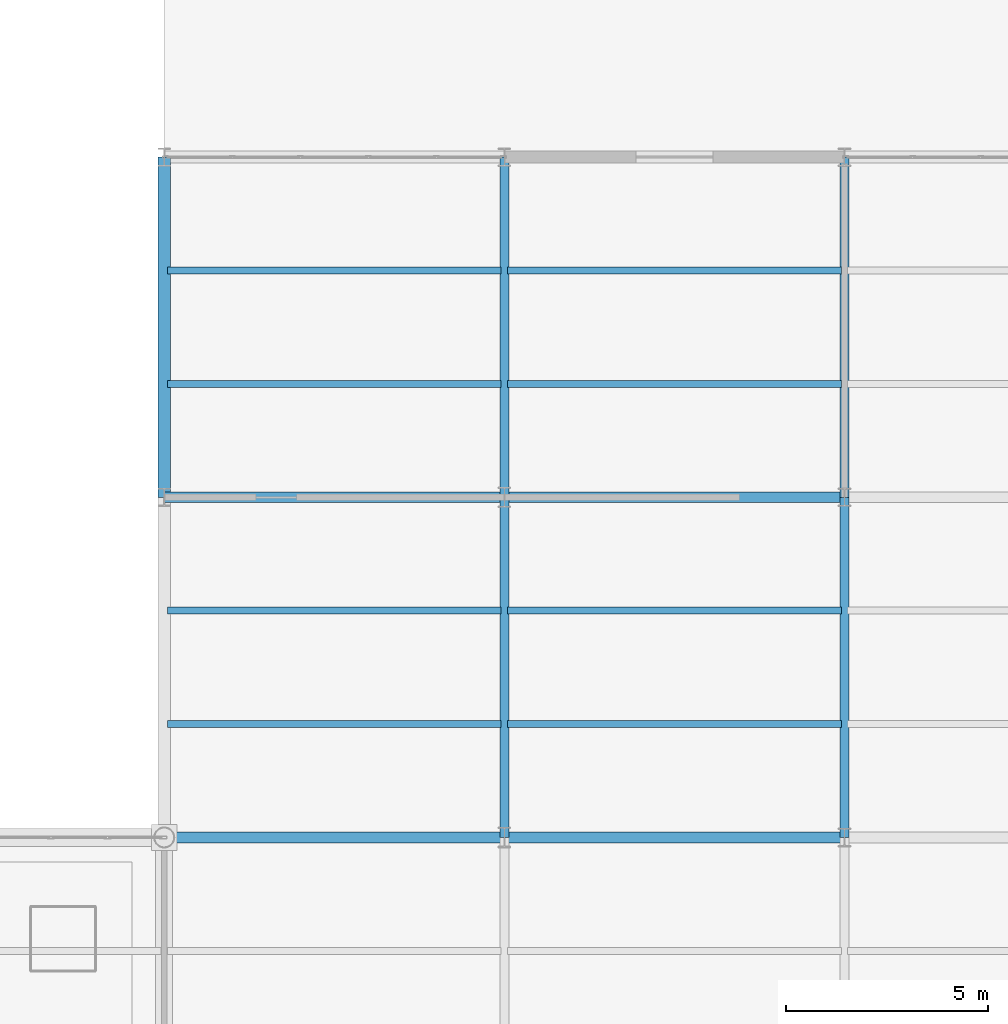
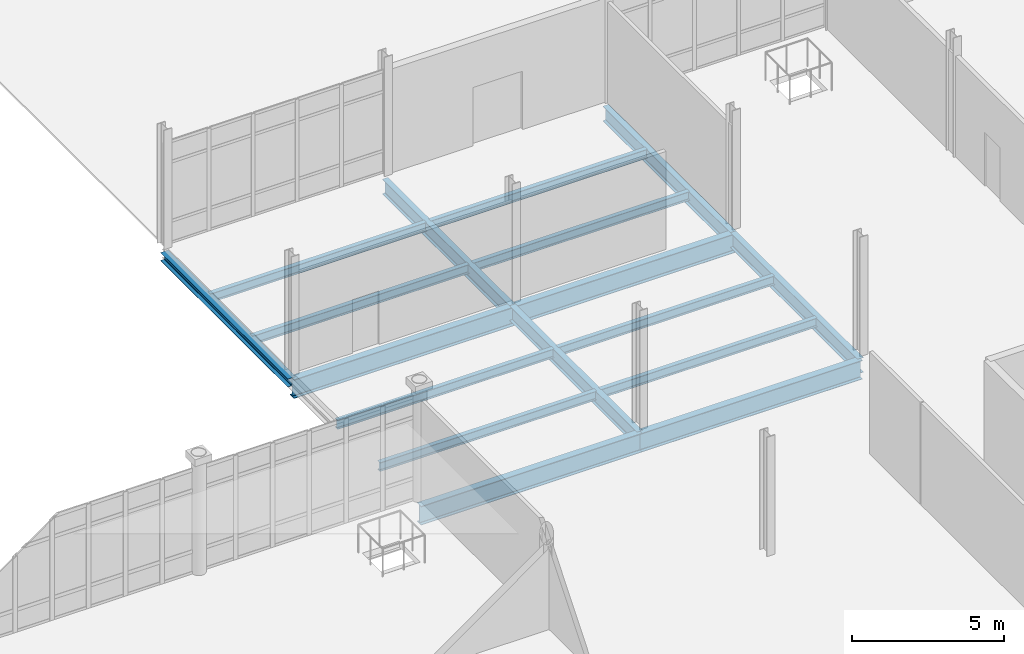
# One storey, part 58 of 145: 17 beams.
"""IFC4 building model written with IfcOpenShell, lengths in metres."""

import ifcopenshell
import ifcopenshell.guid

model = None  # the IFC model being written
_history = None  # IfcOwnerHistory: only IFC2X3 demands one
_inside = {}  # id of a spatial element -> (the spatial element, [elements in it])
_under = {}  # id of a project, library or spatial element -> (it, [spatial elements below it])
_declared = {}  # id of a project -> (the project, [libraries it declares])
_typed = {}  # id of a type object -> (the type object, [elements of that type])
_made_of = {}  # id of a material, layer set ... -> (it, [elements and type objects made of it])


def new_model(schema):
    """Start an empty IFC model of exactly this schema.

    Asked for "IFC4X3", IfcOpenShell would pick the latest addendum, in which some entities
    have other attributes; the version numbers below select the first issue.
    IFC2X3 requires an IfcOwnerHistory on every rooted entity: one is made here for all.
    """
    global model, _history
    if schema == "IFC4X3":
        model = ifcopenshell.file(schema_version=(4, 3, 0, 0))
    else:
        model = ifcopenshell.file(schema=schema)
    _inside.clear()
    _under.clear()
    _declared.clear()
    _typed.clear()
    _made_of.clear()
    _history = None
    if model.schema == "IFC2X3":
        org = make("IfcOrganization", Name="unknown")
        user = make(
            "IfcPersonAndOrganization",
            ThePerson=make("IfcPerson", FamilyName="unknown"),
            TheOrganization=org,
        )
        app = make(
            "IfcApplication",
            ApplicationDeveloper=org,
            Version="unknown",
            ApplicationFullName="unknown",
            ApplicationIdentifier="unknown",
        )
        _history = make(
            "IfcOwnerHistory",
            OwningUser=user,
            OwningApplication=app,
            ChangeAction="ADDED",
            CreationDate=0,
        )
    return model


def make(cls, **values):
    """One entity of the class cls with the attributes given. An attribute that is None is left unset."""
    return model.create_entity(
        cls, **{name: value for name, value in values.items() if value is not None}
    )


def rooted(cls, **values):
    """An entity with a GlobalId (a new one), such as an element, a storey or a relation."""
    return make(cls, GlobalId=ifcopenshell.guid.new(), OwnerHistory=_history, **values)


def si_unit(unit_type, name, prefix=None):
    """IfcSIUnit, for example si_unit("LENGTHUNIT", "METRE", prefix="MILLI")."""
    return make("IfcSIUnit", UnitType=unit_type, Prefix=prefix, Name=name)


def assignment(units):
    """IfcUnitAssignment: the units of a project."""
    return None if units is None else make("IfcUnitAssignment", Units=units)


def point(xyz):
    """IfcCartesianPoint."""
    return None if xyz is None else make("IfcCartesianPoint", Coordinates=xyz)


def direction(xyz):
    """IfcDirection."""
    return None if xyz is None else make("IfcDirection", DirectionRatios=xyz)


def frame(location, z_axis=None, x_axis=None):
    """IfcAxis2Placement3D, a coordinate frame: its origin and axes. An axis left out is left unset."""
    return make(
        "IfcAxis2Placement3D",
        Location=point(location),
        Axis=direction(z_axis),
        RefDirection=direction(x_axis),
    )


def frame_2d(location, x_axis=None):
    """IfcAxis2Placement2D, a coordinate frame in the plane: its origin and x axis."""
    return make(
        "IfcAxis2Placement2D", Location=point(location), RefDirection=direction(x_axis)
    )


def origin():
    """The frame at (0, 0, 0) with its axes left unset."""
    return frame((0.0, 0.0, 0.0))


def origin_2d():
    """The frame at (0, 0) in the plane with its x axis left unset."""
    return frame_2d((0.0, 0.0))


def place(relative_to, where):
    """IfcLocalPlacement: puts the frame where relative to a parent placement (None: the world)."""
    return make(
        "IfcLocalPlacement", PlacementRelTo=relative_to, RelativePlacement=where
    )


def context(
    kind, dimensions, precision=None, world=None, true_north=None, identifier=None
):
    """IfcGeometricRepresentationContext, for example the 3D "Model" context."""
    return make(
        "IfcGeometricRepresentationContext",
        ContextIdentifier=identifier,
        ContextType=kind,
        CoordinateSpaceDimension=dimensions,
        Precision=precision,
        WorldCoordinateSystem=world,
        TrueNorth=true_north,
    )


def subcontext(parent, identifier, kind, view, scale=None):
    """IfcGeometricRepresentationSubContext, for example "Body" below "Model"."""
    return make(
        "IfcGeometricRepresentationSubContext",
        ContextIdentifier=identifier,
        ContextType=kind,
        ParentContext=parent,
        TargetScale=scale,
        TargetView=view,
    )


def project(units=None, contexts=None):
    """IfcProject with its units and contexts."""
    return rooted(
        "IfcProject",
        Name="project",
        RepresentationContexts=contexts,
        UnitsInContext=assignment(units),
    )


def spatial(cls, under=None, at=None, **own):
    """A site, building, storey or space (cls), placed at a placement, below another one or the project."""
    s = rooted(cls, ObjectPlacement=at, **own)
    if under is not None:
        _under.setdefault(under.id(), (under, []))[1].append(s)
    return s


def profile(cls, at=None, kind="AREA", **sizes):
    """A parametric profile (cls). Its sizes go by their IFC names, for example OverallWidth=200.0."""
    return make(cls, ProfileType=kind, Position=at, **sizes)


def i_section(**sizes):
    """IfcIShapeProfileDef."""
    return profile("IfcIShapeProfileDef", **sizes)


def extrude(swept, where, along, depth):
    """IfcExtrudedAreaSolid: the profile swept, set in the frame where, extruded along a direction by depth."""
    return make(
        "IfcExtrudedAreaSolid",
        SweptArea=swept,
        Position=where,
        ExtrudedDirection=direction(along),
        Depth=depth,
    )


def shape(context_of_items, identifier, shape_type, items):
    """IfcShapeRepresentation: the items that make up one representation, for example the "Body"."""
    return make(
        "IfcShapeRepresentation",
        ContextOfItems=context_of_items,
        RepresentationIdentifier=identifier,
        RepresentationType=shape_type,
        Items=items,
    )


def material(Name=None, Category=None):
    """IfcMaterial."""
    return make("IfcMaterial", Name=Name, Category=Category)


def material_profile(
    of_material, cross_section, Name=None, Category=None, Priority=None
):
    """IfcMaterialProfile: a cross section and its material."""
    return make(
        "IfcMaterialProfile",
        Name=Name,
        Material=of_material,
        Profile=cross_section,
        Priority=Priority,
        Category=Category,
    )


def profile_set(profiles, Name=None, composite=None):
    """IfcMaterialProfileSet."""
    return make(
        "IfcMaterialProfileSet",
        Name=Name,
        MaterialProfiles=profiles,
        CompositeProfile=composite,
    )


def made_of(thing, what):
    """Note that an element or type object is made of a material, layer set ...; save() writes the relation."""
    if what is not None:
        _made_of.setdefault(what.id(), (what, []))[1].append(thing)
    return thing


def type_object(cls, material=None, **own):
    """A type object (cls), such as IfcWallType, which elements share."""
    return made_of(rooted(cls, **own), material)


def element(
    cls,
    number,
    at=None,
    inside=None,
    cuts=None,
    type_object=None,
    material=None,
    context=None,
    identifier="Body",
    shape_type=None,
    held_by="IfcProductDefinitionShape",
    body=None,
    shapes=None,
    **own,
):
    """One element of the class cls, such as IfcWall. Its Tag is "e" and its number.

    at: its placement. inside: the storey or other place that contains it. cuts: it is an
    opening in that element (IfcRelVoidsElement). A single representation is given by context,
    identifier, shape_type and body (its items); several are given by shapes. held_by: the class
    of the entity that holds the representations. save() writes the other relations.
    """
    e = rooted(cls, Tag="e%d" % number, ObjectPlacement=at, **own)
    if body is not None:
        shapes = [shape(context, identifier, shape_type, body)]
    if shapes is not None:
        e.Representation = make(held_by, Representations=shapes)
    if inside is not None:
        _inside.setdefault(inside.id(), (inside, []))[1].append(e)
    if cuts is not None:
        rooted(
            "IfcRelVoidsElement", RelatingBuildingElement=cuts, RelatedOpeningElement=e
        )
    if type_object is not None:
        _typed.setdefault(type_object.id(), (type_object, []))[1].append(e)
    return made_of(e, material)


def aggregate(whole, parts):
    """IfcRelAggregates: a whole, such as a stair, and the parts it consists of."""
    return rooted("IfcRelAggregates", RelatingObject=whole, RelatedObjects=parts)


def save(model, path):
    """Write the relations noted so far, then the file.

    IfcRelAggregates (storeys below a building ...), IfcRelContainedInSpatialStructure (elements
    in a storey), IfcRelDefinesByType, IfcRelAssociatesMaterial and IfcRelDeclares: one each for
    every whole, place, type object, material and project.
    """
    for whole, parts in _under.values():
        aggregate(whole, parts)
    for where, things in _inside.values():
        rooted(
            "IfcRelContainedInSpatialStructure",
            RelatedElements=things,
            RelatingStructure=where,
        )
    for kind, things in _typed.values():
        rooted("IfcRelDefinesByType", RelatedObjects=things, RelatingType=kind)
    for what, things in _made_of.values():
        rooted("IfcRelAssociatesMaterial", RelatedObjects=things, RelatingMaterial=what)
    for by, libraries in _declared.values():
        rooted("IfcRelDeclares", RelatingContext=by, RelatedDefinitions=libraries)
    model.write(path)


model = new_model("IFC4")

# Units and contexts
model_context = context("Model", 3, precision=1e-05, world=origin(), true_north=direction((0.0, 1.0)))
body_context = subcontext(model_context, "Body", "Model", "MODEL_VIEW")
ifc_project = project(units=[si_unit("LENGTHUNIT", "METRE"), si_unit("AREAUNIT", "SQUARE_METRE"), si_unit("VOLUMEUNIT", "CUBIC_METRE"), si_unit("PLANEANGLEUNIT", "RADIAN"), si_unit("MASSUNIT", "GRAM", prefix="KILO")], contexts=[model_context])

# Site, building, storey
site_placement = place(None, origin())
site = spatial("IfcSite", under=ifc_project, at=site_placement, CompositionType="ELEMENT")
building_placement = place(site_placement, origin())
building = spatial("IfcBuilding", under=site, at=building_placement, Name="Qalvenar Corner Mobility Hub", CompositionType="ELEMENT")
storey_placement = place(building_placement, origin())
storey = spatial("IfcBuildingStorey", under=building, at=storey_placement, Name="L00", CompositionType="ELEMENT", Elevation=0.0)

# Beams
ifc_material = material(Name="Steel S355", Category="steel")
ifc_material_profile_1 = material_profile(ifc_material, i_section(OverallWidth=0.219970703125, OverallDepth=0.60009765625, WebThickness=0.011962890625, FlangeThickness=0.01904296875, FilletRadius=0.02392578125, at=origin_2d()), Name="IPE600")
ifc_profile_set_1 = profile_set([ifc_material_profile_1], Name="Steel S355")
beam_type_1 = type_object("IfcBeamType", Name="BM-IPE600", PredefinedType="BEAM", material=ifc_profile_set_1)
for number, where, z_axis, x_axis, name in (
    (1, (117.60009765625, 33.60009765625, -0.550048828125), (0.0, 1.0, 0.0), (-1.0, 0.0, 0.0), "Primary Steel Girder GY-0303"),
    (2, (117.60009765625, 42.0, -0.550048828125), (0.0, 1.0, 0.0), (-1.0, 0.0, 0.0), "Primary Steel Girder GY-0304"),
    (3, (126.0, 33.60009765625, -0.550048828125), (0.0, 1.0, 0.0), (-1.0, 0.0, 0.0), "Primary Steel Girder GY-0309"),
    (4, (126.0, 42.0, -0.550048828125), (0.0, 1.0, 0.0), (-1.0, 0.0, 0.0), "Primary Steel Girder GY-0310"),
):
    element("IfcBeam", number, at=place(storey_placement, frame(where, z_axis=z_axis, x_axis=x_axis)), inside=storey, type_object=beam_type_1, Name=name, PredefinedType="BEAM", context=body_context, shape_type="SweptSolid", body=[
        extrude(i_section(OverallWidth=0.219970703125, OverallDepth=0.60009765625, WebThickness=0.011962890625, FlangeThickness=0.01904296875, FilletRadius=0.02392578125, at=origin_2d()), origin(), (0.0, 0.0, 1.0), 8.39990234375),
    ])
ifc_material_profile_2 = material_profile(ifc_material, i_section(OverallWidth=0.26708984375, OverallDepth=0.761962890625, WebThickness=0.014404296875, FlangeThickness=0.021484375, FilletRadius=0.01708984375, at=origin_2d()), Name="IPE750x173")
ifc_profile_set_2 = profile_set([ifc_material_profile_2], Name="Steel S355")
beam_type_2 = type_object("IfcBeamType", Name="BM-IPE750", PredefinedType="BEAM", material=ifc_profile_set_2)
beam_1_placement = place(storey_placement, frame((109.199951171875, 33.60009765625, -0.631103515625), z_axis=(1.0, 0.0, 0.0), x_axis=(0.0, 1.0, 0.0)))
element("IfcBeam", 5, at=beam_1_placement, inside=storey, type_object=beam_type_2, Name="Primary Steel Girder GX-0276", PredefinedType="BEAM", context=body_context, shape_type="SweptSolid", body=[
    extrude(i_section(OverallWidth=0.26708984375, OverallDepth=0.761962890625, WebThickness=0.014404296875, FlangeThickness=0.021484375, FilletRadius=0.01708984375, at=origin_2d()), origin(), (0.0, 0.0, 1.0), 8.400146484375),
])
beam_2_placement = place(storey_placement, frame((117.60009765625, 33.60009765625, -0.631103515625), z_axis=(1.0, 0.0, 0.0), x_axis=(0.0, 1.0, 0.0)))
element("IfcBeam", 6, at=beam_2_placement, inside=storey, type_object=beam_type_2, Name="Primary Steel Girder GX-0277", PredefinedType="BEAM", context=body_context, shape_type="SweptSolid", body=[
    extrude(i_section(OverallWidth=0.26708984375, OverallDepth=0.761962890625, WebThickness=0.014404296875, FlangeThickness=0.021484375, FilletRadius=0.01708984375, at=origin_2d()), origin(), (0.0, 0.0, 1.0), 8.39990234375),
])
beam_3_placement = place(storey_placement, frame((109.199951171875, 42.0, -0.631103515625), z_axis=(1.0, 0.0, 0.0), x_axis=(0.0, 1.0, 0.0)))
element("IfcBeam", 7, at=beam_3_placement, inside=storey, type_object=beam_type_2, Name="Primary Steel Girder GX-0283", PredefinedType="BEAM", context=body_context, shape_type="SweptSolid", body=[
    extrude(i_section(OverallWidth=0.26708984375, OverallDepth=0.761962890625, WebThickness=0.014404296875, FlangeThickness=0.021484375, FilletRadius=0.01708984375, at=origin_2d()), origin(), (0.0, 0.0, 1.0), 8.400146484375),
])
beam_4_placement = place(storey_placement, frame((117.60009765625, 42.0, -0.631103515625), z_axis=(1.0, 0.0, 0.0), x_axis=(0.0, 1.0, 0.0)))
element("IfcBeam", 8, at=beam_4_placement, inside=storey, type_object=beam_type_2, Name="Primary Steel Girder GX-0284", PredefinedType="BEAM", context=body_context, shape_type="SweptSolid", body=[
    extrude(i_section(OverallWidth=0.26708984375, OverallDepth=0.761962890625, WebThickness=0.014404296875, FlangeThickness=0.021484375, FilletRadius=0.01708984375, at=origin_2d()), origin(), (0.0, 0.0, 1.0), 8.39990234375),
])
ifc_material_profile_3 = material_profile(ifc_material, i_section(OverallWidth=0.169921875, OverallDepth=0.360107421875, WebThickness=0.008056640625, FlangeThickness=0.0126953125, FilletRadius=0.01806640625, at=origin_2d()), Name="IPE360")
ifc_profile_set_3 = profile_set([ifc_material_profile_3], Name="Steel S355")
beam_type_3 = type_object("IfcBeamType", Name="BM-JST360", PredefinedType="JOIST", material=ifc_profile_set_3)
for number, where, z_axis, x_axis, name in (
    (9, (109.278076171875, 36.39990234375, -0.429931640625), (1.0, 0.0, 0.0), (0.0, 1.0, 0.0), "Composite Floor Joist J-0349"),
    (10, (109.278076171875, 39.199951171875, -0.429931640625), (1.0, 0.0, 0.0), (0.0, 1.0, 0.0), "Composite Floor Joist J-0350"),
    (11, (109.278076171875, 44.800048828125, -0.429931640625), (1.0, 0.0, 0.0), (0.0, 1.0, 0.0), "Composite Floor Joist J-0351"),
    (12, (109.278076171875, 47.60009765625, -0.429931640625), (1.0, 0.0, 0.0), (0.0, 1.0, 0.0), "Composite Floor Joist J-0352"),
):
    element("IfcBeam", number, at=place(storey_placement, frame(where, z_axis=z_axis, x_axis=x_axis)), inside=storey, type_object=beam_type_3, Name=name, PredefinedType="JOIST", context=body_context, shape_type="SweptSolid", body=[
        extrude(i_section(OverallWidth=0.169921875, OverallDepth=0.360107421875, WebThickness=0.008056640625, FlangeThickness=0.0126953125, FilletRadius=0.01806640625, at=origin_2d()), origin(), (0.0, 0.0, 1.0), 8.243896484375),
    ])
for number, where, z_axis, x_axis, name in (
    (13, (117.677978515625, 36.39990234375, -0.429931640625), (1.0, 0.0, 0.0), (0.0, 1.0, 0.0), "Composite Floor Joist J-0361"),
    (14, (117.677978515625, 39.199951171875, -0.429931640625), (1.0, 0.0, 0.0), (0.0, 1.0, 0.0), "Composite Floor Joist J-0362"),
    (15, (117.677978515625, 44.800048828125, -0.429931640625), (1.0, 0.0, 0.0), (0.0, 1.0, 0.0), "Composite Floor Joist J-0363"),
    (16, (117.677978515625, 47.60009765625, -0.429931640625), (1.0, 0.0, 0.0), (0.0, 1.0, 0.0), "Composite Floor Joist J-0364"),
):
    element("IfcBeam", number, at=place(storey_placement, frame(where, z_axis=z_axis, x_axis=x_axis)), inside=storey, type_object=beam_type_3, Name=name, PredefinedType="JOIST", context=body_context, shape_type="SweptSolid", body=[
        extrude(i_section(OverallWidth=0.169921875, OverallDepth=0.360107421875, WebThickness=0.008056640625, FlangeThickness=0.0126953125, FilletRadius=0.01806640625, at=origin_2d()), origin(), (0.0, 0.0, 1.0), 8.244140625),
    ])
ifc_material_profile_4 = material_profile(ifc_material, i_section(OverallWidth=0.300048828125, OverallDepth=0.330078125, WebThickness=0.009521484375, FlangeThickness=0.0166015625, FilletRadius=0.027099609375, at=origin_2d()), Name="HEA340")
ifc_profile_set_4 = profile_set([ifc_material_profile_4], Name="Steel S355")
beam_type_4 = type_object("IfcBeamType", Name="BM-SPN340", PredefinedType="SPANDREL", material=ifc_profile_set_4)
beam_5_placement = place(storey_placement, frame((109.199951171875, 42.0, -0.4150390625), z_axis=(0.0, 1.0, 0.0), x_axis=(-1.0, 0.0, 0.0)))
element("IfcBeam", 17, at=beam_5_placement, inside=storey, type_object=beam_type_4, Name="Primary Steel Girder GY-0298", PredefinedType="SPANDREL", context=body_context, shape_type="SweptSolid", body=[
    extrude(i_section(OverallWidth=0.300048828125, OverallDepth=0.330078125, WebThickness=0.009521484375, FlangeThickness=0.0166015625, FilletRadius=0.027099609375, at=origin_2d()), origin(), (0.0, 0.0, 1.0), 8.39990234375),
])

save(model, "model.ifc")
